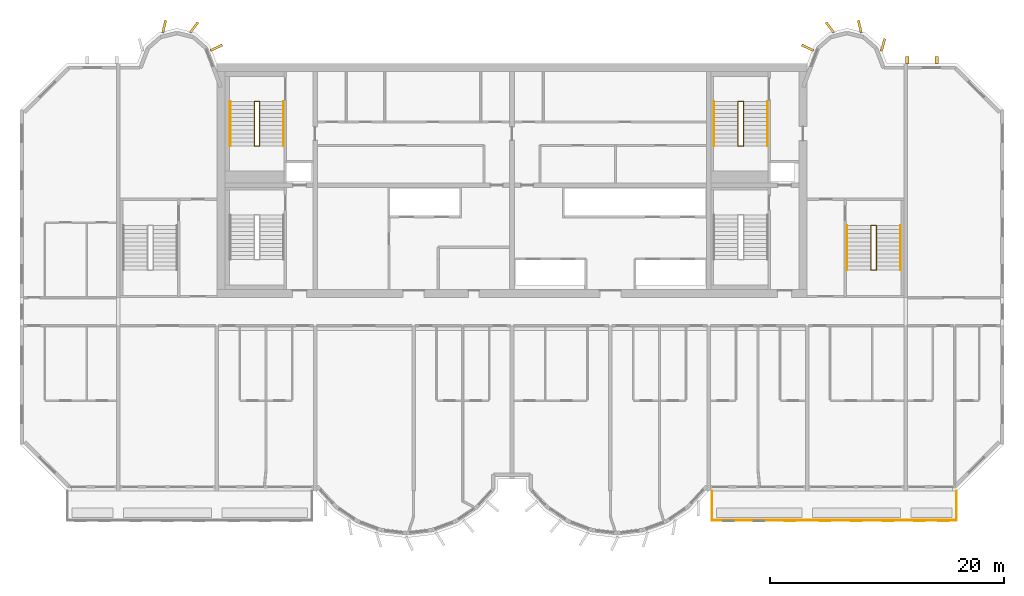
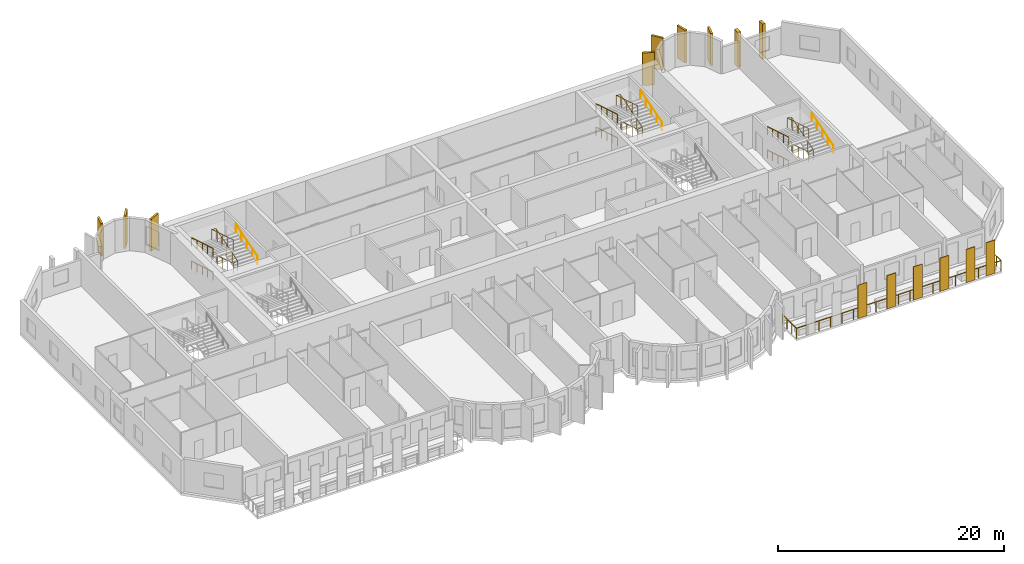
# One storey, part 12 of 13: 15 coverings, 13 railings.
"""IFC4 building model written with IfcOpenShell, lengths in metres."""

from ifc_helpers import new_model, si_unit, direction, frame, origin, origin_2d, place, context, subcontext, project, spatial, rectangle, circle, extrude, source, transform, mapped, material, layer, layer_set, material_profile, profile_set, type_object, element, save


model = new_model("IFC4")

# Units and contexts
model_context = context("Model", 3, precision=1e-05, world=origin(), true_north=direction((0.0, 1.0)))
body_context = subcontext(model_context, "Body", "Model", "MODEL_VIEW")
ifc_project = project(units=[si_unit("LENGTHUNIT", "METRE"), si_unit("AREAUNIT", "SQUARE_METRE"), si_unit("VOLUMEUNIT", "CUBIC_METRE"), si_unit("PLANEANGLEUNIT", "RADIAN"), si_unit("MASSUNIT", "GRAM", prefix="KILO")], contexts=[model_context])

# Site, building, storey
site_placement = place(None, origin())
site = spatial("IfcSite", under=ifc_project, at=site_placement, CompositionType="ELEMENT")
building_placement = place(site_placement, origin())
building = spatial("IfcBuilding", under=site, at=building_placement, Name="Vanashikhar Sky Hotel", CompositionType="ELEMENT")
storey_placement = place(building_placement, frame((0.0, 0.0, 159.199951171875)))
storey = spatial("IfcBuildingStorey", under=building, at=storey_placement, Name="L38", CompositionType="ELEMENT", Elevation=159.199951171875)

# Coverings
ifc_material_1 = material(Name="Terracotta", Category="masonry")
ifc_layer = layer(ifc_material_1, 0.06005859375)
ifc_layer_set = layer_set([ifc_layer], Name="Terracotta baguette screen")
covering_type_1 = type_object("IfcCoveringType", Name="Terracotta baguette screen", PredefinedType="CLADDING", material=ifc_layer_set)
shared_shape_1 = source(origin(), body_context, "Body", "SweptSolid", [
    extrude(rectangle(XDim=0.89990234375, YDim=0.06005859375, at=origin_2d()), origin(), (0.0, 0.0, 1.0), 3.60009765625),
])
for number, where, z_axis, x_axis, name in (
    (1, (74.13330078125, 2.929931640625, -0.050048828125), (0.0, 0.0, 1.0), (1.0, 0.0, 0.0), "Terracotta screen"),
    (2, (77.10009765625, 2.929931640625, -0.050048828125), (0.0, 0.0, 1.0), (1.0, 0.0, 0.0), "Terracotta screen"),
    (3, (79.800048828125, 2.929931640625, -0.050048828125), (0.0, 0.0, 1.0), (1.0, 0.0, 0.0), "Terracotta screen"),
    (4, (82.5, 2.929931640625, -0.050048828125), (0.0, 0.0, 1.0), (1.0, 0.0, 0.0), "Terracotta screen"),
    (5, (85.175048828125, 2.929931640625, -0.050048828125), (0.0, 0.0, 1.0), (1.0, 0.0, 0.0), "Terracotta screen"),
    (6, (87.22509765625, 2.929931640625, -0.050048828125), (0.0, 0.0, 1.0), (1.0, 0.0, 0.0), "Terracotta screen"),
):
    element("IfcCovering", number, at=place(storey_placement, frame(where, z_axis=z_axis, x_axis=x_axis)), inside=storey, type_object=covering_type_1, Name=name, PredefinedType="CLADDING", context=body_context, shape_type="MappedRepresentation", body=[
        mapped(shared_shape_1, transform((0.0, 0.0, 0.0), scale=1.0)),
    ])
ifc_material_2 = material(Name="Concrete M60 dark", Category="concrete")
ifc_material_profile_1 = material_profile(ifc_material_2, rectangle(XDim=1.10009765625, YDim=0.199951171875, at=origin_2d()))
ifc_profile_set_1 = profile_set([ifc_material_profile_1], Name="Rear lobe fin 1100 x 200")
covering_type_2 = type_object("IfcCoveringType", Name="Rear lobe fin 1100 x 200", PredefinedType="CLADDING", material=ifc_profile_set_1)
shared_shape_2 = source(origin(), body_context, "Body", "SweptSolid", [
    extrude(rectangle(XDim=1.10009765625, YDim=0.199951171875, at=origin_2d()), origin(), (0.0, 0.0, 1.0), 3.52001953125),
])
for number, where, z_axis, x_axis, name in (
    (7, (20.710205078125, 45.1455078125, 0.0), (0.0, 0.0, 1.0), (0.224644935864, 0.974440687159, 0.0), "Fin R1-2"),
    (8, (23.261962890625, 45.06640625, 0.0), (0.0, 0.0, 1.0), (0.602065892195, 0.798446404874, 0.0), "Fin R1-3"),
    (9, (25.169677734375, 43.33447265625, 0.0), (0.0, 0.0, 1.0), (0.908004291068, 0.418960866193, 0.0), "Fin R1-4"),
    (10, (75.63037109375, 43.33447265625, 0.0), (0.0, 0.0, 1.0), (-0.908004291068, 0.418960866193, 0.0), "Fin R2-1"),
    (11, (77.5380859375, 45.06640625, 0.0), (0.0, 0.0, 1.0), (-0.602065892195, 0.798446404874, 0.0), "Fin R2-2"),
    (12, (80.08984375, 45.1455078125, 0.0), (0.0, 0.0, 1.0), (-0.224644935864, 0.974440687159, 0.0), "Fin R2-3"),
    (13, (82.0791015625, 43.580078125, 0.0), (0.0, 0.0, 1.0), (0.262711264409, 0.964874495234, 0.0), "Fin R2-4"),
):
    element("IfcCovering", number, at=place(storey_placement, frame(where, z_axis=z_axis, x_axis=x_axis)), inside=storey, type_object=covering_type_2, Name=name, PredefinedType="CLADDING", context=body_context, shape_type="MappedRepresentation", body=[
        mapped(shared_shape_2, transform((0.0, 0.0, 0.0), scale=1.0)),
    ])

# Railing
ifc_material_3 = material(Name="Stainless steel 316", Category="steel")
railing_type_1 = type_object("IfcRailingType", Name="Balcony guard 1100", PredefinedType="GUARDRAIL", material=ifc_material_3)
shared_shape_3 = source(origin(), body_context, "Body", "SweptSolid", [
    extrude(circle(Radius=0.02392578125, at=origin_2d()), frame((0.0, 0.0, 1.076171875), z_axis=(0.0, -1.0, 0.0), x_axis=(1.0, 0.0, 0.0)), (0.0, 0.0, 1.0), 2.5),
    extrude(circle(Radius=0.02392578125, at=origin_2d()), frame((0.0, -2.5, 1.076171875), z_axis=(1.0, 0.0, 0.0), x_axis=(0.0, 1.0, 0.0)), (0.0, 0.0, 1.0), 20.880126953125),
    extrude(circle(Radius=0.02392578125, at=origin_2d()), frame((20.880126953125, -2.5, 1.076171875), z_axis=(0.0, 1.0, 0.0), x_axis=(-1.0, 0.0, 0.0)), (0.0, 0.0, 1.0), 2.5),
    extrude(circle(Radius=0.02099609375, at=origin_2d()), origin(), (0.0, 0.0, 1.0), 1.052001953125),
    extrude(circle(Radius=0.02099609375, at=origin_2d()), frame((0.0, -0.833251953125, 0.0)), (0.0, 0.0, 1.0), 1.052001953125),
    extrude(circle(Radius=0.02099609375, at=origin_2d()), frame((0.0, -1.666748046875, 0.0)), (0.0, 0.0, 1.0), 1.052001953125),
    extrude(circle(Radius=0.02099609375, at=origin_2d()), frame((0.0, -2.5, 0.0)), (0.0, 0.0, 1.0), 1.052001953125),
    extrude(circle(Radius=0.02099609375, at=origin_2d()), frame((1.159912109375, -2.5, 0.0)), (0.0, 0.0, 1.0), 1.052001953125),
    extrude(circle(Radius=0.02099609375, at=origin_2d()), frame((2.320068359375, -2.5, 0.0)), (0.0, 0.0, 1.0), 1.052001953125),
    extrude(circle(Radius=0.02099609375, at=origin_2d()), frame((3.47998046875, -2.5, 0.0)), (0.0, 0.0, 1.0), 1.052001953125),
    extrude(circle(Radius=0.02099609375, at=origin_2d()), frame((4.64013671875, -2.5, 0.0)), (0.0, 0.0, 1.0), 1.052001953125),
    extrude(circle(Radius=0.02099609375, at=origin_2d()), frame((5.800048828125, -2.5, 0.0)), (0.0, 0.0, 1.0), 1.052001953125),
    extrude(circle(Radius=0.02099609375, at=origin_2d()), frame((6.9599609375, -2.5, 0.0)), (0.0, 0.0, 1.0), 1.052001953125),
    extrude(circle(Radius=0.02099609375, at=origin_2d()), frame((8.1201171875, -2.5, 0.0)), (0.0, 0.0, 1.0), 1.052001953125),
    extrude(circle(Radius=0.02099609375, at=origin_2d()), frame((9.280029296875, -2.5, 0.0)), (0.0, 0.0, 1.0), 1.052001953125),
    extrude(circle(Radius=0.02099609375, at=origin_2d()), frame((10.43994140625, -2.5, 0.0)), (0.0, 0.0, 1.0), 1.052001953125),
    extrude(circle(Radius=0.02099609375, at=origin_2d()), frame((11.60009765625, -2.5, 0.0)), (0.0, 0.0, 1.0), 1.052001953125),
    extrude(circle(Radius=0.02099609375, at=origin_2d()), frame((12.760009765625, -2.5, 0.0)), (0.0, 0.0, 1.0), 1.052001953125),
    extrude(circle(Radius=0.02099609375, at=origin_2d()), frame((13.920166015625, -2.5, 0.0)), (0.0, 0.0, 1.0), 1.052001953125),
    extrude(circle(Radius=0.02099609375, at=origin_2d()), frame((15.080078125, -2.5, 0.0)), (0.0, 0.0, 1.0), 1.052001953125),
    extrude(circle(Radius=0.02099609375, at=origin_2d()), frame((16.239990234375, -2.5, 0.0)), (0.0, 0.0, 1.0), 1.052001953125),
    extrude(circle(Radius=0.02099609375, at=origin_2d()), frame((17.400146484375, -2.5, 0.0)), (0.0, 0.0, 1.0), 1.052001953125),
    extrude(circle(Radius=0.02099609375, at=origin_2d()), frame((18.56005859375, -2.5, 0.0)), (0.0, 0.0, 1.0), 1.052001953125),
    extrude(circle(Radius=0.02099609375, at=origin_2d()), frame((19.72021484375, -2.5, 0.0)), (0.0, 0.0, 1.0), 1.052001953125),
    extrude(circle(Radius=0.02099609375, at=origin_2d()), frame((20.880126953125, -2.5, 0.0)), (0.0, 0.0, 1.0), 1.052001953125),
    extrude(circle(Radius=0.02099609375, at=origin_2d()), frame((20.880126953125, -1.666748046875, 0.0)), (0.0, 0.0, 1.0), 1.052001953125),
    extrude(circle(Radius=0.02099609375, at=origin_2d()), frame((20.880126953125, -0.833251953125, 0.0)), (0.0, 0.0, 1.0), 1.052001953125),
    extrude(circle(Radius=0.02099609375, at=origin_2d()), frame((20.880126953125, 0.0, 0.0)), (0.0, 0.0, 1.0), 1.052001953125),
])
railing_1_placement = place(storey_placement, frame((67.4599609375, 5.5, -0.050048828125)))
element("IfcRailing", 14, at=railing_1_placement, inside=storey, type_object=railing_type_1, Name="Balcony guard", PredefinedType="GUARDRAIL", context=body_context, shape_type="MappedRepresentation", body=[
    mapped(shared_shape_3, transform((0.0, 0.0, 0.0), scale=1.0)),
])

# Coverings
ifc_material_profile_2 = material_profile(ifc_material_2, rectangle(XDim=0.60009765625, YDim=0.300048828125, at=origin_2d()))
ifc_profile_set_2 = profile_set([ifc_material_profile_2], Name="Rear rib 600 x 300")
covering_type_3 = type_object("IfcCoveringType", Name="Rear rib 600 x 300", PredefinedType="CLADDING", material=ifc_profile_set_2)
shared_shape_4 = source(origin(), body_context, "Body", "SweptSolid", [
    extrude(rectangle(XDim=0.60009765625, YDim=0.300048828125, at=origin_2d()), origin(), (0.0, 0.0, 1.0), 3.800048828125),
])
for number, where, z_axis, x_axis, name in (
    (15, (84.14990234375, 42.300048828125, -0.280029296875), (0.0, 0.0, 1.0), (0.0, 1.0, 0.0), "Rear rib"),
    (16, (86.64990234375, 42.300048828125, -0.280029296875), (0.0, 0.0, 1.0), (0.0, 1.0, 0.0), "Rear rib"),
):
    element("IfcCovering", number, at=place(storey_placement, frame(where, z_axis=z_axis, x_axis=x_axis)), inside=storey, type_object=covering_type_3, Name=name, PredefinedType="CLADDING", context=body_context, shape_type="MappedRepresentation", body=[
        mapped(shared_shape_4, transform((0.0, 0.0, 0.0), scale=1.0)),
    ])

# Railings
ifc_material_4 = material(Name="Steel S355", Category="steel")
railing_type_2 = type_object("IfcRailingType", Name="Stair handrail 900", PredefinedType="HANDRAIL", material=ifc_material_4)
shared_shape_5 = source(origin(), body_context, "Body", "SweptSolid", [
    extrude(circle(Radius=0.02392578125, at=origin_2d()), frame((0.0, 0.0, 0.8759765625), z_axis=(0.0, 0.95635109408, 0.292220096591), x_axis=(-1.0, 0.0, 0.0)), (0.0, 0.0, 1.0), 3.973388671875),
    extrude(circle(Radius=0.02099609375, at=origin_2d()), origin(), (0.0, 0.0, 1.0), 0.851806640625),
    extrude(circle(Radius=0.02099609375, at=origin_2d()), frame((0.0, 0.949951171875, 0.290283203125)), (0.0, 0.0, 1.0), 0.851806640625),
    extrude(circle(Radius=0.02099609375, at=origin_2d()), frame((0.0, 1.89990234375, 0.58056640625)), (0.0, 0.0, 1.0), 0.851806640625),
    extrude(circle(Radius=0.02099609375, at=origin_2d()), frame((0.0, 2.85009765625, 0.870849609375)), (0.0, 0.0, 1.0), 0.851806640625),
    extrude(circle(Radius=0.02099609375, at=origin_2d()), frame((0.0, 3.800048828125, 1.1611328125)), (0.0, 0.0, 1.0), 0.851806640625),
])
for number, where, name in (
    (17, (30.89990234375, 34.949951171875, 1.372314453125), "Exit stair 5 handrail"),
    (18, (72.199951171875, 34.949951171875, 1.372314453125), "Exit stair 6 handrail"),
):
    element("IfcRailing", number, at=place(storey_placement, frame(where)), inside=storey, type_object=railing_type_2, Name=name, PredefinedType="HANDRAIL", context=body_context, shape_type="MappedRepresentation", body=[
        mapped(shared_shape_5, transform((0.0, 0.0, 0.0), scale=1.0)),
    ])
shared_shape_6 = source(origin(), body_context, "Body", "SweptSolid", [
    extrude(circle(Radius=0.02392578125, at=origin_2d()), frame((0.0, 0.0, 0.8759765625), z_axis=(0.0, -0.95635109408, 0.292220096591), x_axis=(1.0, 0.0, 0.0)), (0.0, 0.0, 1.0), 3.973388671875),
    extrude(circle(Radius=0.02099609375, at=origin_2d()), origin(), (0.0, 0.0, 1.0), 0.851806640625),
    extrude(circle(Radius=0.02099609375, at=origin_2d()), frame((0.0, -0.949951171875, 0.290283203125)), (0.0, 0.0, 1.0), 0.851806640625),
    extrude(circle(Radius=0.02099609375, at=origin_2d()), frame((0.0, -1.89990234375, 0.58056640625)), (0.0, 0.0, 1.0), 0.851806640625),
    extrude(circle(Radius=0.02099609375, at=origin_2d()), frame((0.0, -2.85009765625, 0.870849609375)), (0.0, 0.0, 1.0), 0.851806640625),
    extrude(circle(Radius=0.02099609375, at=origin_2d()), frame((0.0, -3.800048828125, 1.1611328125)), (0.0, 0.0, 1.0), 0.851806640625),
])
for number, where, name in (
    (19, (26.35009765625, 38.75, 2.638916015625), "Exit stair 5 handrail"),
    (20, (67.64990234375, 38.75, 2.638916015625), "Exit stair 6 handrail"),
):
    element("IfcRailing", number, at=place(storey_placement, frame(where)), inside=storey, type_object=railing_type_2, Name=name, PredefinedType="HANDRAIL", context=body_context, shape_type="MappedRepresentation", body=[
        mapped(shared_shape_6, transform((0.0, 0.0, 0.0), scale=1.0)),
    ])
railing_type_3 = type_object("IfcRailingType", Name="Stair guard 1100", PredefinedType="GUARDRAIL", material=ifc_material_4)
shared_shape_7 = source(origin(), body_context, "Body", "SweptSolid", [
    extrude(circle(Radius=0.02392578125, at=origin_2d()), frame((0.0, 0.0, 1.076171875), z_axis=(-0.973520925263, 0.0, 0.228597917917), x_axis=(0.0, -1.0, 0.0)), (0.0, 0.0, 1.0), 0.46240234375),
    extrude(circle(Radius=0.02392578125, at=origin_2d()), frame((-0.4501953125, 0.0, 1.181640625), z_axis=(0.0, -0.956368263741, 0.292163899395), x_axis=(1.0, 0.0, 0.0)), (0.0, 0.0, 1.0), 3.973388671875),
    extrude(circle(Radius=0.02392578125, at=origin_2d()), frame((-0.4501953125, -3.800048828125, 2.3427734375), z_axis=(0.973520925263, 0.0, 0.228597917917), x_axis=(0.0, 1.0, 0.0)), (0.0, 0.0, 1.0), 0.46240234375),
    extrude(circle(Radius=0.02392578125, at=origin_2d()), frame((0.0, -3.800048828125, 2.4482421875), z_axis=(0.0, 0.95635109408, 0.292220096591), x_axis=(-1.0, 0.0, 0.0)), (0.0, 0.0, 1.0), 3.973388671875),
    extrude(circle(Radius=0.02392578125, at=origin_2d()), frame((0.0, 0.0, 3.609375), z_axis=(-0.973638301096, 0.0, 0.228097476179), x_axis=(0.0, -1.0, 0.0)), (0.0, 0.0, 1.0), 0.46240234375),
    extrude(circle(Radius=0.02392578125, at=origin_2d()), frame((-0.4501953125, 0.0, 3.71484375), z_axis=(0.0, -0.95635109408, 0.292220096591), x_axis=(1.0, 0.0, 0.0)), (0.0, 0.0, 1.0), 3.973388671875),
    extrude(circle(Radius=0.02099609375, at=origin_2d()), origin(), (0.0, 0.0, 1.0), 1.052001953125),
    extrude(circle(Radius=0.02099609375, at=origin_2d()), frame((-0.4501953125, 0.0, 0.105712890625)), (0.0, 0.0, 1.0), 1.052001953125),
    extrude(circle(Radius=0.02099609375, at=origin_2d()), frame((-0.4501953125, -0.949951171875, 0.39599609375)), (0.0, 0.0, 1.0), 1.052001953125),
    extrude(circle(Radius=0.02099609375, at=origin_2d()), frame((-0.4501953125, -1.89990234375, 0.68603515625)), (0.0, 0.0, 1.0), 1.052001953125),
    extrude(circle(Radius=0.02099609375, at=origin_2d()), frame((-0.4501953125, -2.85009765625, 0.976318359375)), (0.0, 0.0, 1.0), 1.052001953125),
    extrude(circle(Radius=0.02099609375, at=origin_2d()), frame((-0.4501953125, -3.800048828125, 1.2666015625)), (0.0, 0.0, 1.0), 1.052001953125),
    extrude(circle(Radius=0.02099609375, at=origin_2d()), frame((0.0, -3.800048828125, 1.372314453125)), (0.0, 0.0, 1.0), 1.052001953125),
    extrude(circle(Radius=0.02099609375, at=origin_2d()), frame((0.0, -2.85009765625, 1.66259765625)), (0.0, 0.0, 1.0), 1.052001953125),
    extrude(circle(Radius=0.02099609375, at=origin_2d()), frame((0.0, -1.89990234375, 1.952880859375)), (0.0, 0.0, 1.0), 1.052001953125),
    extrude(circle(Radius=0.02099609375, at=origin_2d()), frame((0.0, -0.949951171875, 2.2431640625)), (0.0, 0.0, 1.0), 1.052001953125),
    extrude(circle(Radius=0.02099609375, at=origin_2d()), frame((0.0, 0.0, 2.533447265625)), (0.0, 0.0, 1.0), 1.052001953125),
    extrude(circle(Radius=0.02099609375, at=origin_2d()), frame((-0.4501953125, 0.0, 2.638916015625)), (0.0, 0.0, 1.0), 1.052001953125),
    extrude(circle(Radius=0.02099609375, at=origin_2d()), frame((-0.4501953125, -0.949951171875, 2.92919921875)), (0.0, 0.0, 1.0), 1.052001953125),
    extrude(circle(Radius=0.02099609375, at=origin_2d()), frame((-0.4501953125, -1.89990234375, 3.219482421875)), (0.0, 0.0, 1.0), 1.052001953125),
    extrude(circle(Radius=0.02099609375, at=origin_2d()), frame((-0.4501953125, -2.85009765625, 3.509765625)), (0.0, 0.0, 1.0), 1.052001953125),
    extrude(circle(Radius=0.02099609375, at=origin_2d()), frame((-0.4501953125, -3.800048828125, 3.800048828125)), (0.0, 0.0, 1.0), 1.052001953125),
])
railing_2_placement = place(storey_placement, frame((28.85009765625, 38.75, 0.0)))
element("IfcRailing", 21, at=railing_2_placement, inside=storey, type_object=railing_type_3, Name="Exit stair 5 guard", PredefinedType="GUARDRAIL", context=body_context, shape_type="MappedRepresentation", body=[
    mapped(shared_shape_7, transform((0.0, 0.0, 0.0), scale=1.0)),
])
shared_shape_8 = source(origin(), body_context, "Body", "SweptSolid", [
    extrude(circle(Radius=0.02392578125, at=origin_2d()), frame((0.0, 0.0, 0.8759765625), z_axis=(0.0, -0.956368263741, 0.292163899395), x_axis=(1.0, 0.0, 0.0)), (0.0, 0.0, 1.0), 3.973388671875),
    extrude(circle(Radius=0.02099609375, at=origin_2d()), origin(), (0.0, 0.0, 1.0), 0.851806640625),
    extrude(circle(Radius=0.02099609375, at=origin_2d()), frame((0.0, -0.949951171875, 0.290283203125)), (0.0, 0.0, 1.0), 0.851806640625),
    extrude(circle(Radius=0.02099609375, at=origin_2d()), frame((0.0, -1.89990234375, 0.58056640625)), (0.0, 0.0, 1.0), 0.851806640625),
    extrude(circle(Radius=0.02099609375, at=origin_2d()), frame((0.0, -2.85009765625, 0.87060546875)), (0.0, 0.0, 1.0), 0.851806640625),
    extrude(circle(Radius=0.02099609375, at=origin_2d()), frame((0.0, -3.800048828125, 1.160888671875)), (0.0, 0.0, 1.0), 0.851806640625),
])
for number, where, name in (
    (22, (26.35009765625, 38.75, 0.105712890625), "Exit stair 5 handrail"),
    (23, (67.64990234375, 38.75, 0.105712890625), "Exit stair 6 handrail"),
):
    element("IfcRailing", number, at=place(storey_placement, frame(where)), inside=storey, type_object=railing_type_2, Name=name, PredefinedType="HANDRAIL", context=body_context, shape_type="MappedRepresentation", body=[
        mapped(shared_shape_8, transform((0.0, 0.0, 0.0), scale=1.0)),
    ])
shared_shape_9 = source(origin(), body_context, "Body", "SweptSolid", [
    extrude(circle(Radius=0.02392578125, at=origin_2d()), frame((0.0, 0.0, 1.076171875), z_axis=(-0.973493315427, 0.0, 0.228715466945), x_axis=(0.0, -1.0, 0.0)), (0.0, 0.0, 1.0), 0.462158203125),
    extrude(circle(Radius=0.02392578125, at=origin_2d()), frame((-0.449951171875, 0.0, 1.181640625), z_axis=(0.0, -0.956368263741, 0.292163899395), x_axis=(1.0, 0.0, 0.0)), (0.0, 0.0, 1.0), 3.973388671875),
    extrude(circle(Radius=0.02392578125, at=origin_2d()), frame((-0.449951171875, -3.800048828125, 2.3427734375), z_axis=(0.973493315427, 0.0, 0.228715466945), x_axis=(0.0, 1.0, 0.0)), (0.0, 0.0, 1.0), 0.462158203125),
    extrude(circle(Radius=0.02392578125, at=origin_2d()), frame((0.0, -3.800048828125, 2.4482421875), z_axis=(0.0, 0.95635109408, 0.292220096591), x_axis=(-1.0, 0.0, 0.0)), (0.0, 0.0, 1.0), 3.973388671875),
    extrude(circle(Radius=0.02392578125, at=origin_2d()), frame((0.0, 0.0, 3.609375), z_axis=(-0.973610808694, 0.0, 0.228214796178), x_axis=(0.0, -1.0, 0.0)), (0.0, 0.0, 1.0), 0.462158203125),
    extrude(circle(Radius=0.02392578125, at=origin_2d()), frame((-0.449951171875, 0.0, 3.71484375), z_axis=(0.0, -0.95635109408, 0.292220096591), x_axis=(1.0, 0.0, 0.0)), (0.0, 0.0, 1.0), 3.973388671875),
    extrude(circle(Radius=0.02099609375, at=origin_2d()), origin(), (0.0, 0.0, 1.0), 1.052001953125),
    extrude(circle(Radius=0.02099609375, at=origin_2d()), frame((-0.449951171875, 0.0, 0.105712890625)), (0.0, 0.0, 1.0), 1.052001953125),
    extrude(circle(Radius=0.02099609375, at=origin_2d()), frame((-0.449951171875, -0.949951171875, 0.39599609375)), (0.0, 0.0, 1.0), 1.052001953125),
    extrude(circle(Radius=0.02099609375, at=origin_2d()), frame((-0.449951171875, -1.89990234375, 0.68603515625)), (0.0, 0.0, 1.0), 1.052001953125),
    extrude(circle(Radius=0.02099609375, at=origin_2d()), frame((-0.449951171875, -2.85009765625, 0.976318359375)), (0.0, 0.0, 1.0), 1.052001953125),
    extrude(circle(Radius=0.02099609375, at=origin_2d()), frame((-0.449951171875, -3.800048828125, 1.2666015625)), (0.0, 0.0, 1.0), 1.052001953125),
    extrude(circle(Radius=0.02099609375, at=origin_2d()), frame((0.0, -3.800048828125, 1.372314453125)), (0.0, 0.0, 1.0), 1.052001953125),
    extrude(circle(Radius=0.02099609375, at=origin_2d()), frame((0.0, -2.85009765625, 1.66259765625)), (0.0, 0.0, 1.0), 1.052001953125),
    extrude(circle(Radius=0.02099609375, at=origin_2d()), frame((0.0, -1.89990234375, 1.952880859375)), (0.0, 0.0, 1.0), 1.052001953125),
    extrude(circle(Radius=0.02099609375, at=origin_2d()), frame((0.0, -0.949951171875, 2.2431640625)), (0.0, 0.0, 1.0), 1.052001953125),
    extrude(circle(Radius=0.02099609375, at=origin_2d()), frame((0.0, 0.0, 2.533447265625)), (0.0, 0.0, 1.0), 1.052001953125),
    extrude(circle(Radius=0.02099609375, at=origin_2d()), frame((-0.449951171875, 0.0, 2.638916015625)), (0.0, 0.0, 1.0), 1.052001953125),
    extrude(circle(Radius=0.02099609375, at=origin_2d()), frame((-0.449951171875, -0.949951171875, 2.92919921875)), (0.0, 0.0, 1.0), 1.052001953125),
    extrude(circle(Radius=0.02099609375, at=origin_2d()), frame((-0.449951171875, -1.89990234375, 3.219482421875)), (0.0, 0.0, 1.0), 1.052001953125),
    extrude(circle(Radius=0.02099609375, at=origin_2d()), frame((-0.449951171875, -2.85009765625, 3.509765625)), (0.0, 0.0, 1.0), 1.052001953125),
    extrude(circle(Radius=0.02099609375, at=origin_2d()), frame((-0.449951171875, -3.800048828125, 3.800048828125)), (0.0, 0.0, 1.0), 1.052001953125),
])
railing_3_placement = place(storey_placement, frame((70.14990234375, 38.75, 0.0)))
element("IfcRailing", 24, at=railing_3_placement, inside=storey, type_object=railing_type_3, Name="Exit stair 6 guard", PredefinedType="GUARDRAIL", context=body_context, shape_type="MappedRepresentation", body=[
    mapped(shared_shape_9, transform((0.0, 0.0, 0.0), scale=1.0)),
])
shared_shape_10 = source(origin(), body_context, "Body", "SweptSolid", [
    extrude(circle(Radius=0.02392578125, at=origin_2d()), frame((0.0, 0.0, 0.8759765625), z_axis=(0.0, 0.956345846891, 0.292237268557), x_axis=(-1.0, 0.0, 0.0)), (0.0, 0.0, 1.0), 3.97314453125),
    extrude(circle(Radius=0.02099609375, at=origin_2d()), origin(), (0.0, 0.0, 1.0), 0.851806640625),
    extrude(circle(Radius=0.02099609375, at=origin_2d()), frame((0.0, 0.949951171875, 0.290283203125)), (0.0, 0.0, 1.0), 0.851806640625),
    extrude(circle(Radius=0.02099609375, at=origin_2d()), frame((0.0, 1.89990234375, 0.58056640625)), (0.0, 0.0, 1.0), 0.851806640625),
    extrude(circle(Radius=0.02099609375, at=origin_2d()), frame((0.0, 2.849853515625, 0.870849609375)), (0.0, 0.0, 1.0), 0.851806640625),
    extrude(circle(Radius=0.02099609375, at=origin_2d()), frame((0.0, 3.7998046875, 1.1611328125)), (0.0, 0.0, 1.0), 0.851806640625),
])
railing_4_placement = place(storey_placement, frame((83.550048828125, 24.35009765625, 1.372314453125)))
element("IfcRailing", 25, at=railing_4_placement, inside=storey, type_object=railing_type_2, Name="Exit stair 4 handrail", PredefinedType="HANDRAIL", context=body_context, shape_type="MappedRepresentation", body=[
    mapped(shared_shape_10, transform((0.0, 0.0, 0.0), scale=1.0)),
])
shared_shape_11 = source(origin(), body_context, "Body", "SweptSolid", [
    extrude(circle(Radius=0.02392578125, at=origin_2d()), frame((0.0, 0.0, 0.8759765625), z_axis=(0.0, -0.956345846891, 0.292237268557), x_axis=(1.0, 0.0, 0.0)), (0.0, 0.0, 1.0), 3.97314453125),
    extrude(circle(Radius=0.02099609375, at=origin_2d()), origin(), (0.0, 0.0, 1.0), 0.851806640625),
    extrude(circle(Radius=0.02099609375, at=origin_2d()), frame((0.0, -0.949951171875, 0.290283203125)), (0.0, 0.0, 1.0), 0.851806640625),
    extrude(circle(Radius=0.02099609375, at=origin_2d()), frame((0.0, -1.89990234375, 0.58056640625)), (0.0, 0.0, 1.0), 0.851806640625),
    extrude(circle(Radius=0.02099609375, at=origin_2d()), frame((0.0, -2.849853515625, 0.870849609375)), (0.0, 0.0, 1.0), 0.851806640625),
    extrude(circle(Radius=0.02099609375, at=origin_2d()), frame((0.0, -3.7998046875, 1.1611328125)), (0.0, 0.0, 1.0), 0.851806640625),
])
railing_5_placement = place(storey_placement, frame((79.0, 28.14990234375, 2.638916015625)))
element("IfcRailing", 26, at=railing_5_placement, inside=storey, type_object=railing_type_2, Name="Exit stair 4 handrail", PredefinedType="HANDRAIL", context=body_context, shape_type="MappedRepresentation", body=[
    mapped(shared_shape_11, transform((0.0, 0.0, 0.0), scale=1.0)),
])
shared_shape_12 = source(origin(), body_context, "Body", "SweptSolid", [
    extrude(circle(Radius=0.02392578125, at=origin_2d()), frame((0.0, 0.0, 1.076171875), z_axis=(-0.973493315427, 0.0, 0.228715466945), x_axis=(0.0, -1.0, 0.0)), (0.0, 0.0, 1.0), 0.462158203125),
    extrude(circle(Radius=0.02392578125, at=origin_2d()), frame((-0.449951171875, 0.0, 1.181640625), z_axis=(0.0, -0.956363018476, 0.292181068675), x_axis=(1.0, 0.0, 0.0)), (0.0, 0.0, 1.0), 3.97314453125),
    extrude(circle(Radius=0.02392578125, at=origin_2d()), frame((-0.449951171875, -3.7998046875, 2.3427734375), z_axis=(0.973493315427, 0.0, 0.228715466945), x_axis=(0.0, 1.0, 0.0)), (0.0, 0.0, 1.0), 0.462158203125),
    extrude(circle(Radius=0.02392578125, at=origin_2d()), frame((0.0, -3.7998046875, 2.4482421875), z_axis=(0.0, 0.956345846891, 0.292237268557), x_axis=(-1.0, 0.0, 0.0)), (0.0, 0.0, 1.0), 3.97314453125),
    extrude(circle(Radius=0.02392578125, at=origin_2d()), frame((0.0, 0.0, 3.609375), z_axis=(-0.973610808694, 0.0, 0.228214796178), x_axis=(0.0, -1.0, 0.0)), (0.0, 0.0, 1.0), 0.462158203125),
    extrude(circle(Radius=0.02392578125, at=origin_2d()), frame((-0.449951171875, 0.0, 3.71484375), z_axis=(0.0, -0.956345846891, 0.292237268557), x_axis=(1.0, 0.0, 0.0)), (0.0, 0.0, 1.0), 3.97314453125),
    extrude(circle(Radius=0.02099609375, at=origin_2d()), origin(), (0.0, 0.0, 1.0), 1.052001953125),
    extrude(circle(Radius=0.02099609375, at=origin_2d()), frame((-0.449951171875, 0.0, 0.105712890625)), (0.0, 0.0, 1.0), 1.052001953125),
    extrude(circle(Radius=0.02099609375, at=origin_2d()), frame((-0.449951171875, -0.949951171875, 0.39599609375)), (0.0, 0.0, 1.0), 1.052001953125),
    extrude(circle(Radius=0.02099609375, at=origin_2d()), frame((-0.449951171875, -1.89990234375, 0.68603515625)), (0.0, 0.0, 1.0), 1.052001953125),
    extrude(circle(Radius=0.02099609375, at=origin_2d()), frame((-0.449951171875, -2.849853515625, 0.976318359375)), (0.0, 0.0, 1.0), 1.052001953125),
    extrude(circle(Radius=0.02099609375, at=origin_2d()), frame((-0.449951171875, -3.7998046875, 1.2666015625)), (0.0, 0.0, 1.0), 1.052001953125),
    extrude(circle(Radius=0.02099609375, at=origin_2d()), frame((0.0, -3.7998046875, 1.372314453125)), (0.0, 0.0, 1.0), 1.052001953125),
    extrude(circle(Radius=0.02099609375, at=origin_2d()), frame((0.0, -2.849853515625, 1.66259765625)), (0.0, 0.0, 1.0), 1.052001953125),
    extrude(circle(Radius=0.02099609375, at=origin_2d()), frame((0.0, -1.89990234375, 1.952880859375)), (0.0, 0.0, 1.0), 1.052001953125),
    extrude(circle(Radius=0.02099609375, at=origin_2d()), frame((0.0, -0.949951171875, 2.2431640625)), (0.0, 0.0, 1.0), 1.052001953125),
    extrude(circle(Radius=0.02099609375, at=origin_2d()), frame((0.0, 0.0, 2.533447265625)), (0.0, 0.0, 1.0), 1.052001953125),
    extrude(circle(Radius=0.02099609375, at=origin_2d()), frame((-0.449951171875, 0.0, 2.638916015625)), (0.0, 0.0, 1.0), 1.052001953125),
    extrude(circle(Radius=0.02099609375, at=origin_2d()), frame((-0.449951171875, -0.949951171875, 2.92919921875)), (0.0, 0.0, 1.0), 1.052001953125),
    extrude(circle(Radius=0.02099609375, at=origin_2d()), frame((-0.449951171875, -1.89990234375, 3.219482421875)), (0.0, 0.0, 1.0), 1.052001953125),
    extrude(circle(Radius=0.02099609375, at=origin_2d()), frame((-0.449951171875, -2.849853515625, 3.509765625)), (0.0, 0.0, 1.0), 1.052001953125),
    extrude(circle(Radius=0.02099609375, at=origin_2d()), frame((-0.449951171875, -3.7998046875, 3.800048828125)), (0.0, 0.0, 1.0), 1.052001953125),
])
railing_6_placement = place(storey_placement, frame((81.5, 28.14990234375, 0.0)))
element("IfcRailing", 27, at=railing_6_placement, inside=storey, type_object=railing_type_3, Name="Exit stair 4 guard", PredefinedType="GUARDRAIL", context=body_context, shape_type="MappedRepresentation", body=[
    mapped(shared_shape_12, transform((0.0, 0.0, 0.0), scale=1.0)),
])
shared_shape_13 = source(origin(), body_context, "Body", "SweptSolid", [
    extrude(circle(Radius=0.02392578125, at=origin_2d()), frame((0.0, 0.0, 0.8759765625), z_axis=(0.0, -0.956363018476, 0.292181068675), x_axis=(1.0, 0.0, 0.0)), (0.0, 0.0, 1.0), 3.97314453125),
    extrude(circle(Radius=0.02099609375, at=origin_2d()), origin(), (0.0, 0.0, 1.0), 0.851806640625),
    extrude(circle(Radius=0.02099609375, at=origin_2d()), frame((0.0, -0.949951171875, 0.290283203125)), (0.0, 0.0, 1.0), 0.851806640625),
    extrude(circle(Radius=0.02099609375, at=origin_2d()), frame((0.0, -1.89990234375, 0.58056640625)), (0.0, 0.0, 1.0), 0.851806640625),
    extrude(circle(Radius=0.02099609375, at=origin_2d()), frame((0.0, -2.849853515625, 0.87060546875)), (0.0, 0.0, 1.0), 0.851806640625),
    extrude(circle(Radius=0.02099609375, at=origin_2d()), frame((0.0, -3.7998046875, 1.160888671875)), (0.0, 0.0, 1.0), 0.851806640625),
])
railing_7_placement = place(storey_placement, frame((79.0, 28.14990234375, 0.105712890625)))
element("IfcRailing", 28, at=railing_7_placement, inside=storey, type_object=railing_type_2, Name="Exit stair 4 handrail", PredefinedType="HANDRAIL", context=body_context, shape_type="MappedRepresentation", body=[
    mapped(shared_shape_13, transform((0.0, 0.0, 0.0), scale=1.0)),
])

save(model, "model.ifc")
